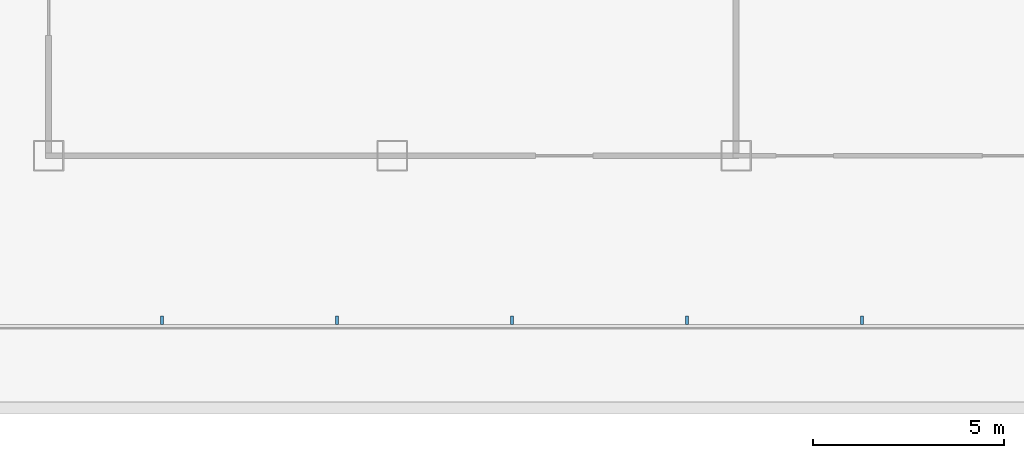
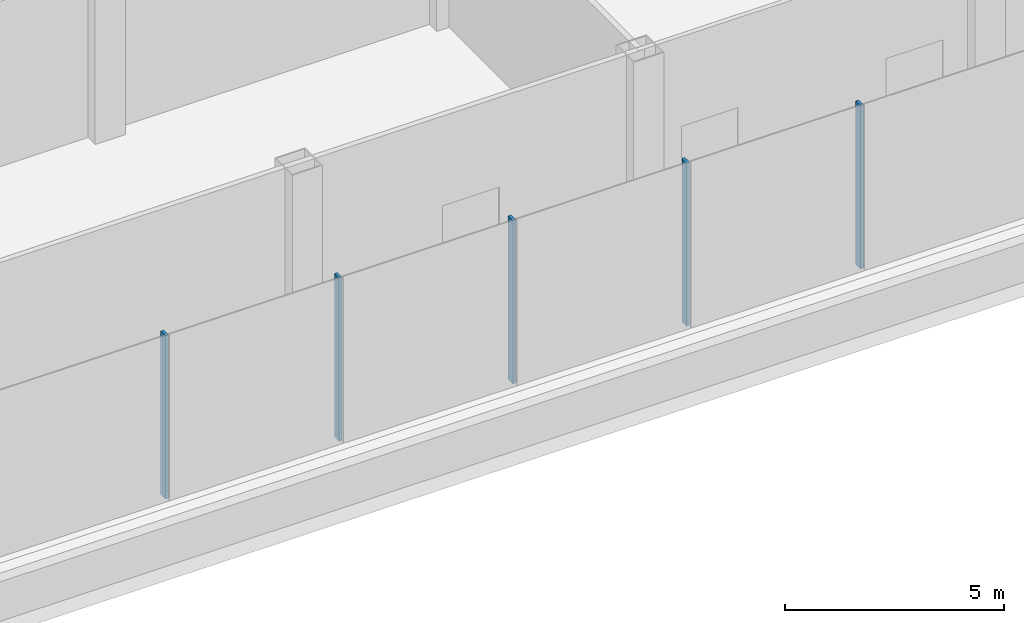
# One storey, part 4 of 33: 5 members, 1 element without a shape of its own.
"""IFC4 building model written with IfcOpenShell, lengths in metres."""

import ifcopenshell
import ifcopenshell.guid

model = None  # the IFC model being written
_history = None  # IfcOwnerHistory: only IFC2X3 demands one
_inside = {}  # id of a spatial element -> (the spatial element, [elements in it])
_under = {}  # id of a project, library or spatial element -> (it, [spatial elements below it])
_declared = {}  # id of a project -> (the project, [libraries it declares])
_typed = {}  # id of a type object -> (the type object, [elements of that type])
_made_of = {}  # id of a material, layer set ... -> (it, [elements and type objects made of it])


def new_model(schema):
    """Start an empty IFC model of exactly this schema.

    Asked for "IFC4X3", IfcOpenShell would pick the latest addendum, in which some entities
    have other attributes; the version numbers below select the first issue.
    IFC2X3 requires an IfcOwnerHistory on every rooted entity: one is made here for all.
    """
    global model, _history
    if schema == "IFC4X3":
        model = ifcopenshell.file(schema_version=(4, 3, 0, 0))
    else:
        model = ifcopenshell.file(schema=schema)
    _inside.clear()
    _under.clear()
    _declared.clear()
    _typed.clear()
    _made_of.clear()
    _history = None
    if model.schema == "IFC2X3":
        org = make("IfcOrganization", Name="unknown")
        user = make(
            "IfcPersonAndOrganization",
            ThePerson=make("IfcPerson", FamilyName="unknown"),
            TheOrganization=org,
        )
        app = make(
            "IfcApplication",
            ApplicationDeveloper=org,
            Version="unknown",
            ApplicationFullName="unknown",
            ApplicationIdentifier="unknown",
        )
        _history = make(
            "IfcOwnerHistory",
            OwningUser=user,
            OwningApplication=app,
            ChangeAction="ADDED",
            CreationDate=0,
        )
    return model


def make(cls, **values):
    """One entity of the class cls with the attributes given. An attribute that is None is left unset."""
    return model.create_entity(
        cls, **{name: value for name, value in values.items() if value is not None}
    )


def rooted(cls, **values):
    """An entity with a GlobalId (a new one), such as an element, a storey or a relation."""
    return make(cls, GlobalId=ifcopenshell.guid.new(), OwnerHistory=_history, **values)


def si_unit(unit_type, name, prefix=None):
    """IfcSIUnit, for example si_unit("LENGTHUNIT", "METRE", prefix="MILLI")."""
    return make("IfcSIUnit", UnitType=unit_type, Prefix=prefix, Name=name)


def assignment(units):
    """IfcUnitAssignment: the units of a project."""
    return None if units is None else make("IfcUnitAssignment", Units=units)


def point(xyz):
    """IfcCartesianPoint."""
    return None if xyz is None else make("IfcCartesianPoint", Coordinates=xyz)


def direction(xyz):
    """IfcDirection."""
    return None if xyz is None else make("IfcDirection", DirectionRatios=xyz)


def frame(location, z_axis=None, x_axis=None):
    """IfcAxis2Placement3D, a coordinate frame: its origin and axes. An axis left out is left unset."""
    return make(
        "IfcAxis2Placement3D",
        Location=point(location),
        Axis=direction(z_axis),
        RefDirection=direction(x_axis),
    )


def frame_2d(location, x_axis=None):
    """IfcAxis2Placement2D, a coordinate frame in the plane: its origin and x axis."""
    return make(
        "IfcAxis2Placement2D", Location=point(location), RefDirection=direction(x_axis)
    )


def origin():
    """The frame at (0, 0, 0) with its axes left unset."""
    return frame((0.0, 0.0, 0.0))


def origin_2d():
    """The frame at (0, 0) in the plane with its x axis left unset."""
    return frame_2d((0.0, 0.0))


def place(relative_to, where):
    """IfcLocalPlacement: puts the frame where relative to a parent placement (None: the world)."""
    return make(
        "IfcLocalPlacement", PlacementRelTo=relative_to, RelativePlacement=where
    )


def context(
    kind, dimensions, precision=None, world=None, true_north=None, identifier=None
):
    """IfcGeometricRepresentationContext, for example the 3D "Model" context."""
    return make(
        "IfcGeometricRepresentationContext",
        ContextIdentifier=identifier,
        ContextType=kind,
        CoordinateSpaceDimension=dimensions,
        Precision=precision,
        WorldCoordinateSystem=world,
        TrueNorth=true_north,
    )


def subcontext(parent, identifier, kind, view, scale=None):
    """IfcGeometricRepresentationSubContext, for example "Body" below "Model"."""
    return make(
        "IfcGeometricRepresentationSubContext",
        ContextIdentifier=identifier,
        ContextType=kind,
        ParentContext=parent,
        TargetScale=scale,
        TargetView=view,
    )


def project(units=None, contexts=None):
    """IfcProject with its units and contexts."""
    return rooted(
        "IfcProject",
        Name="project",
        RepresentationContexts=contexts,
        UnitsInContext=assignment(units),
    )


def spatial(cls, under=None, at=None, **own):
    """A site, building, storey or space (cls), placed at a placement, below another one or the project."""
    s = rooted(cls, ObjectPlacement=at, **own)
    if under is not None:
        _under.setdefault(under.id(), (under, []))[1].append(s)
    return s


def profile(cls, at=None, kind="AREA", **sizes):
    """A parametric profile (cls). Its sizes go by their IFC names, for example OverallWidth=200.0."""
    return make(cls, ProfileType=kind, Position=at, **sizes)


def rectangle(**sizes):
    """IfcRectangleProfileDef."""
    return profile("IfcRectangleProfileDef", **sizes)


def extrude(swept, where, along, depth):
    """IfcExtrudedAreaSolid: the profile swept, set in the frame where, extruded along a direction by depth."""
    return make(
        "IfcExtrudedAreaSolid",
        SweptArea=swept,
        Position=where,
        ExtrudedDirection=direction(along),
        Depth=depth,
    )


def shape(context_of_items, identifier, shape_type, items):
    """IfcShapeRepresentation: the items that make up one representation, for example the "Body"."""
    return make(
        "IfcShapeRepresentation",
        ContextOfItems=context_of_items,
        RepresentationIdentifier=identifier,
        RepresentationType=shape_type,
        Items=items,
    )


def material(Name=None, Category=None):
    """IfcMaterial."""
    return make("IfcMaterial", Name=Name, Category=Category)


def layer(
    of_material, thickness, ventilated=None, Name=None, Category=None, Priority=None
):
    """IfcMaterialLayer: one layer of a wall or slab, of a material (None: an air gap)."""
    return make(
        "IfcMaterialLayer",
        Material=of_material,
        LayerThickness=thickness,
        IsVentilated=ventilated,
        Name=Name,
        Category=Category,
        Priority=Priority,
    )


def layer_set(layers, Name=None):
    """IfcMaterialLayerSet."""
    return make("IfcMaterialLayerSet", MaterialLayers=layers, LayerSetName=Name)


def material_profile(
    of_material, cross_section, Name=None, Category=None, Priority=None
):
    """IfcMaterialProfile: a cross section and its material."""
    return make(
        "IfcMaterialProfile",
        Name=Name,
        Material=of_material,
        Profile=cross_section,
        Priority=Priority,
        Category=Category,
    )


def profile_set(profiles, Name=None, composite=None):
    """IfcMaterialProfileSet."""
    return make(
        "IfcMaterialProfileSet",
        Name=Name,
        MaterialProfiles=profiles,
        CompositeProfile=composite,
    )


def made_of(thing, what):
    """Note that an element or type object is made of a material, layer set ...; save() writes the relation."""
    if what is not None:
        _made_of.setdefault(what.id(), (what, []))[1].append(thing)
    return thing


def type_object(cls, material=None, **own):
    """A type object (cls), such as IfcWallType, which elements share."""
    return made_of(rooted(cls, **own), material)


def element(
    cls,
    number,
    at=None,
    inside=None,
    cuts=None,
    type_object=None,
    material=None,
    context=None,
    identifier="Body",
    shape_type=None,
    held_by="IfcProductDefinitionShape",
    body=None,
    shapes=None,
    **own,
):
    """One element of the class cls, such as IfcWall. Its Tag is "e" and its number.

    at: its placement. inside: the storey or other place that contains it. cuts: it is an
    opening in that element (IfcRelVoidsElement). A single representation is given by context,
    identifier, shape_type and body (its items); several are given by shapes. held_by: the class
    of the entity that holds the representations. save() writes the other relations.
    """
    e = rooted(cls, Tag="e%d" % number, ObjectPlacement=at, **own)
    if body is not None:
        shapes = [shape(context, identifier, shape_type, body)]
    if shapes is not None:
        e.Representation = make(held_by, Representations=shapes)
    if inside is not None:
        _inside.setdefault(inside.id(), (inside, []))[1].append(e)
    if cuts is not None:
        rooted(
            "IfcRelVoidsElement", RelatingBuildingElement=cuts, RelatedOpeningElement=e
        )
    if type_object is not None:
        _typed.setdefault(type_object.id(), (type_object, []))[1].append(e)
    return made_of(e, material)


def aggregate(whole, parts):
    """IfcRelAggregates: a whole, such as a stair, and the parts it consists of."""
    return rooted("IfcRelAggregates", RelatingObject=whole, RelatedObjects=parts)


def save(model, path):
    """Write the relations noted so far, then the file.

    IfcRelAggregates (storeys below a building ...), IfcRelContainedInSpatialStructure (elements
    in a storey), IfcRelDefinesByType, IfcRelAssociatesMaterial and IfcRelDeclares: one each for
    every whole, place, type object, material and project.
    """
    for whole, parts in _under.values():
        aggregate(whole, parts)
    for where, things in _inside.values():
        rooted(
            "IfcRelContainedInSpatialStructure",
            RelatedElements=things,
            RelatingStructure=where,
        )
    for kind, things in _typed.values():
        rooted("IfcRelDefinesByType", RelatedObjects=things, RelatingType=kind)
    for what, things in _made_of.values():
        rooted("IfcRelAssociatesMaterial", RelatedObjects=things, RelatingMaterial=what)
    for by, libraries in _declared.values():
        rooted("IfcRelDeclares", RelatingContext=by, RelatedDefinitions=libraries)
    model.write(path)


model = new_model("IFC4")

# Units and contexts
model_context = context("Model", 3, precision=1e-05, world=origin(), true_north=direction((0.0, 1.0)))
body_context = subcontext(model_context, "Body", "Model", "MODEL_VIEW")
ifc_project = project(units=[si_unit("LENGTHUNIT", "METRE"), si_unit("AREAUNIT", "SQUARE_METRE"), si_unit("VOLUMEUNIT", "CUBIC_METRE"), si_unit("PLANEANGLEUNIT", "RADIAN"), si_unit("MASSUNIT", "GRAM", prefix="KILO")], contexts=[model_context])

# Site, building, storey
site_placement = place(None, origin())
site = spatial("IfcSite", under=ifc_project, at=site_placement, CompositionType="ELEMENT")
building_placement = place(site_placement, origin())
building = spatial("IfcBuilding", under=site, at=building_placement, Name="Shamsa Quay Exchange Towers", CompositionType="ELEMENT")
storey_placement = place(building_placement, frame((0.0, 0.0, 18.5)))
storey = spatial("IfcBuildingStorey", under=building, at=storey_placement, Name="L03", CompositionType="ELEMENT", Elevation=18.5)

# Curtain wall, members
ifc_material = material(Name="Aluminium EN AW-6063 T6, black anodised", Category="aluminium")
ifc_layer = layer(ifc_material, 0.33203125)
ifc_layer_set = layer_set([ifc_layer], Name="CW-3 PODIUM SHOPFRONT GLAZING")
curtain_wall_type = type_object("IfcCurtainWallType", Name="CW-3 PODIUM SHOPFRONT GLAZING", PredefinedType="NOTDEFINED", material=ifc_layer_set)
curtain_wall_placement = place(storey_placement, origin())
curtain_wall = element("IfcCurtainWall", 1, at=curtain_wall_placement, inside=storey, type_object=curtain_wall_type, Name="CW3 PODIUM-L03-F03", PredefinedType="NOTDEFINED")
ifc_material_profile = material_profile(ifc_material, rectangle(XDim=0.219970703125, YDim=0.080078125, at=origin_2d()), Name="MU80x220")
ifc_profile_set = profile_set([ifc_material_profile], Name="Aluminium EN AW-6063 T6, black anodised")
member_type = type_object("IfcMemberType", Name="CW3 MULLION 80x220", PredefinedType="MULLION", material=ifc_profile_set)
member_1_placement = place(storey_placement, frame((-24.02685546875, -33.56005859375, 0.0), z_axis=(0.0, 0.0, 1.0), x_axis=(0.0, 1.0, 0.0)))
member_1 = element("IfcMember", 2, at=member_1_placement, type_object=member_type, Name="CW3 mullion", PredefinedType="MULLION", context=body_context, shape_type="SweptSolid", body=[
    extrude(rectangle(XDim=0.219970703125, YDim=0.080078125, at=origin_2d()), origin(), (0.0, 0.0, 1.0), 4.550048828125),
])
member_2_placement = place(storey_placement, frame((-19.446533203125, -33.56005859375, 0.0), z_axis=(0.0, 0.0, 1.0), x_axis=(0.0, 1.0, 0.0)))
member_2 = element("IfcMember", 3, at=member_2_placement, type_object=member_type, Name="CW3 mullion", PredefinedType="MULLION", context=body_context, shape_type="SweptSolid", body=[
    extrude(rectangle(XDim=0.219970703125, YDim=0.080078125, at=origin_2d()), origin(), (0.0, 0.0, 1.0), 4.550048828125),
])
member_3_placement = place(storey_placement, frame((-14.865966796875, -33.56005859375, 0.0), z_axis=(0.0, 0.0, 1.0), x_axis=(0.0, 1.0, 0.0)))
member_3 = element("IfcMember", 4, at=member_3_placement, type_object=member_type, Name="CW3 mullion", PredefinedType="MULLION", context=body_context, shape_type="SweptSolid", body=[
    extrude(rectangle(XDim=0.219970703125, YDim=0.080078125, at=origin_2d()), origin(), (0.0, 0.0, 1.0), 4.550048828125),
])
member_4_placement = place(storey_placement, frame((-10.28564453125, -33.56005859375, 0.0), z_axis=(0.0, 0.0, 1.0), x_axis=(0.0, 1.0, 0.0)))
member_4 = element("IfcMember", 5, at=member_4_placement, type_object=member_type, Name="CW3 mullion", PredefinedType="MULLION", context=body_context, shape_type="SweptSolid", body=[
    extrude(rectangle(XDim=0.219970703125, YDim=0.080078125, at=origin_2d()), origin(), (0.0, 0.0, 1.0), 4.550048828125),
])
member_5_placement = place(storey_placement, frame((-5.705322265625, -33.56005859375, 0.0), z_axis=(0.0, 0.0, 1.0), x_axis=(0.0, 1.0, 0.0)))
member_5 = element("IfcMember", 6, at=member_5_placement, type_object=member_type, Name="CW3 mullion", PredefinedType="MULLION", context=body_context, shape_type="SweptSolid", body=[
    extrude(rectangle(XDim=0.219970703125, YDim=0.080078125, at=origin_2d()), origin(), (0.0, 0.0, 1.0), 4.550048828125),
])
aggregate(curtain_wall, [member_1, member_2, member_3, member_4, member_5])

save(model, "model.ifc")
